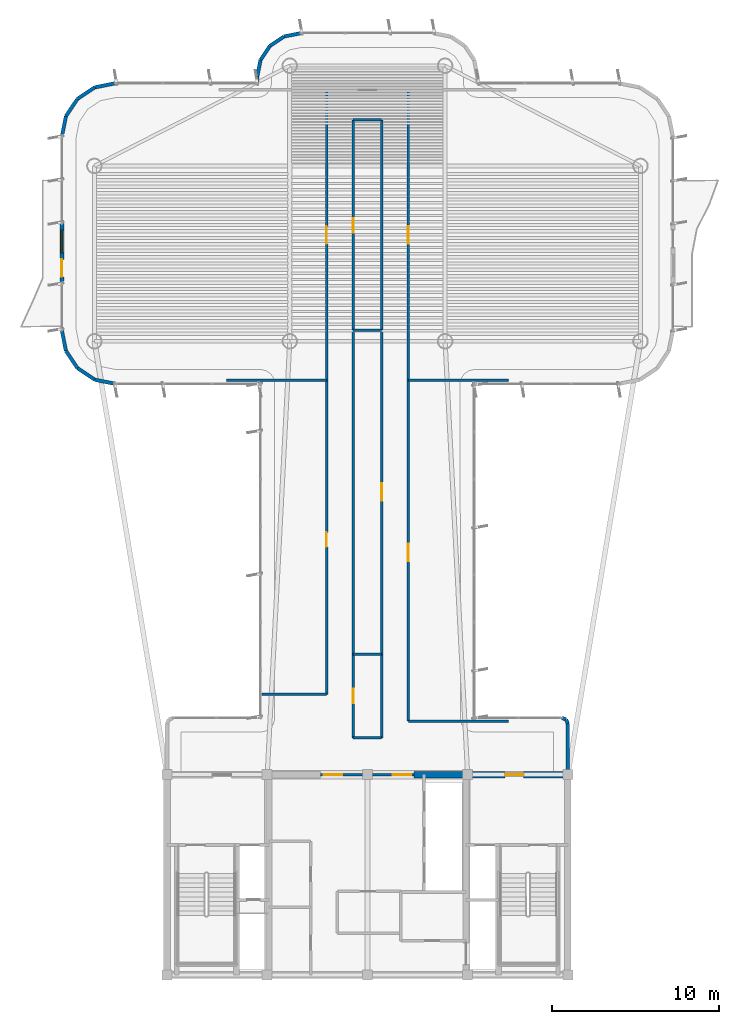
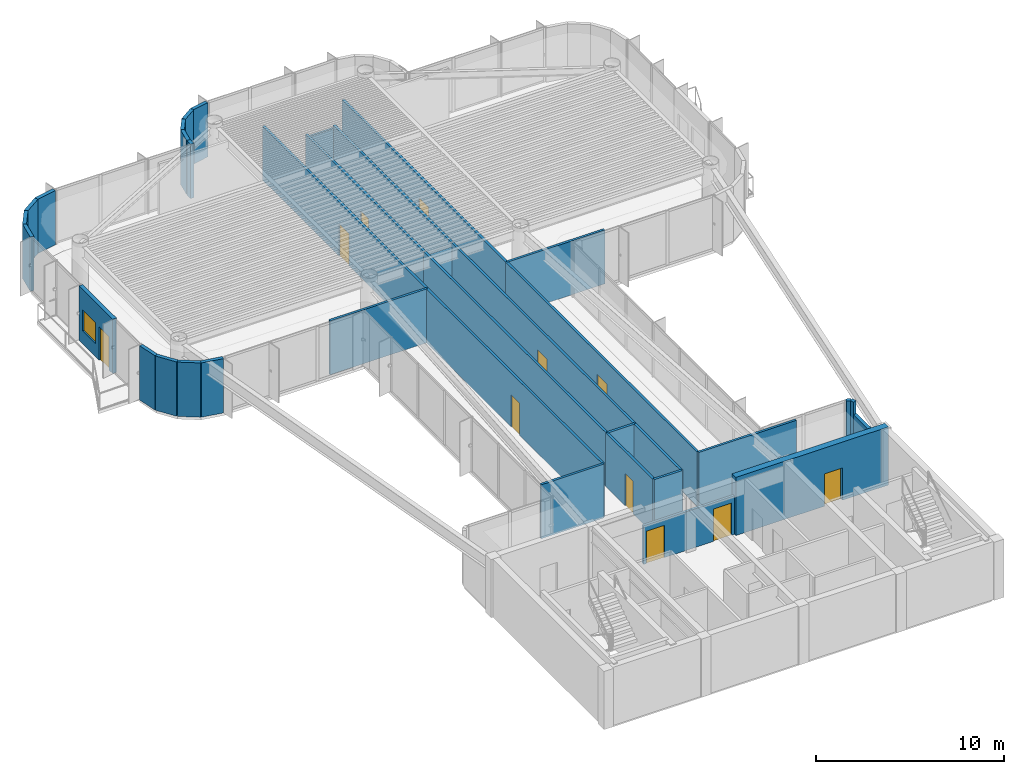
# One storey, part 11 of 14: 37 walls, 11 doors, 1 window, 12 openings.
"""IFC4 building model written with IfcOpenShell, lengths in metres."""

from ifc_helpers import new_model, si_unit, direction, frame, frame_2d, origin, origin_2d, place, context, subcontext, project, spatial, rectangle, extrude, source, transform, mapped, material, layer, layer_set, type_object, element, fill, save


model = new_model("IFC4")

# Units and contexts
model_context = context("Model", 3, precision=1e-05, world=origin(), true_north=direction((0.0, 1.0)))
body_context = subcontext(model_context, "Body", "Model", "MODEL_VIEW")
ifc_project = project(units=[si_unit("LENGTHUNIT", "METRE"), si_unit("AREAUNIT", "SQUARE_METRE"), si_unit("VOLUMEUNIT", "CUBIC_METRE"), si_unit("PLANEANGLEUNIT", "RADIAN"), si_unit("MASSUNIT", "GRAM", prefix="KILO")], contexts=[model_context])

# Site, building, storey
site_placement = place(None, origin())
site = spatial("IfcSite", under=ifc_project, at=site_placement, CompositionType="ELEMENT")
building_placement = place(site_placement, origin())
building = spatial("IfcBuilding", under=site, at=building_placement, Name="Brelvock Crest Care Tower", CompositionType="ELEMENT")
storey_placement = place(building_placement, frame((0.0, 0.0, 257.0400390625)))
storey = spatial("IfcBuildingStorey", under=building, at=storey_placement, Name="L65", CompositionType="ELEMENT", Elevation=257.0400390625)

# Wall, opening, door
ifc_material_1 = material(Name="Concrete S65 (65 MPa)", Category="concrete")
ifc_layer_1 = layer(ifc_material_1, 0.39990234375, Name="WL-CS4")
ifc_layer_set_1 = layer_set([ifc_layer_1], Name="Concrete S65 (65 MPa)")
wall_type_1 = type_object("IfcWallType", Name="WL-CS4", PredefinedType="SHEAR", material=ifc_layer_set_1)
wall_1_placement = place(storey_placement, frame((38.800048828125, 18.0, 0.0), z_axis=(0.0, 0.0, 1.0), x_axis=(1.0, 0.0, 0.0)))
wall_1 = element("IfcWall", 1, at=wall_1_placement, inside=storey, type_object=wall_type_1, Name="L65 Core North-East Shear Wall", PredefinedType="SHEAR", context=body_context, shape_type="SweptSolid", body=[
    extrude(rectangle(XDim=9.39990234375, YDim=0.39990234375, at=frame_2d((4.699951171875, 0.0))), origin(), (0.0, 0.0, 1.0), 3.780029296875),
])
opening_1_placement = place(wall_1_placement, frame((5.449951171875, 0.0, 0.0)))
opening_1 = element("IfcOpeningElement", 2, at=opening_1_placement, cuts=wall_1, Name="Opening FD-1", PredefinedType="OPENING", context=body_context, shape_type="SweptSolid", body=[
    extrude(rectangle(XDim=1.10009765625, YDim=2.10009765625, at=origin_2d()), frame((0.550048828125, 0.2099609375, 1.050048828125), z_axis=(0.0, -1.0, 0.0), x_axis=(1.0, 0.0, 0.0)), (0.0, 0.0, 1.0), 0.419921875),
])
ifc_material_2 = material(Name="Steel Grade 350", Category="steel")
door_type_1 = type_object("IfcDoorType", Name="DR-FFL1", OperationType="NOTDEFINED", PredefinedType="DOOR", material=ifc_material_2)
shared_shape_1 = source(origin(), body_context, "Body", "SweptSolid", [
    extrude(rectangle(XDim=1.10009765625, YDim=2.10009765625, at=origin_2d()), frame((0.550048828125, 0.02490234375, 1.050048828125), z_axis=(0.0, -1.0, 0.0), x_axis=(1.0, 0.0, 0.0)), (0.0, 0.0, 1.0), 0.050048828125),
])
door_1_placement = place(opening_1_placement, origin())
door_1 = element("IfcDoor", 3, at=door_1_placement, inside=storey, type_object=door_type_1, Name="L65 Firefighting Lobby FFL-2 Exit Door", OperationType="SINGLE_SWING_RIGHT", OverallHeight=2.10009765625, OverallWidth=1.10009765625, PredefinedType="DOOR", context=body_context, shape_type="MappedRepresentation", body=[
    mapped(shared_shape_1, transform((0.0, 0.0, 0.0), x_axis=(1.0, 0.0, 0.0), y_axis=(0.0, 1.0, 0.0), z_axis=(0.0, 0.0, 1.0), scale=1.0)),
])
fill(opening_1, door_1)

# Wall, openings, door, window
ifc_material_3 = material(Name="Precast concrete N40 (40 MPa)", Category="concrete")
ifc_layer_2 = layer(ifc_material_3, 0.239990234375, Name="WL-EX1")
ifc_layer_set_2 = layer_set([ifc_layer_2], Name="Precast concrete N40 (40 MPa)")
wall_type_2 = type_object("IfcWallType", Name="WL-EX1", PredefinedType="SOLIDWALL", material=ifc_layer_set_2)
wall_2_placement = place(storey_placement, frame((17.699951171875, 47.39990234375, 0.0), z_axis=(0.0, 0.0, 1.0), x_axis=(0.0, 1.0, 0.0)))
wall_2 = element("IfcWall", 4, at=wall_2_placement, inside=storey, type_object=wall_type_2, Name="L65 Exterior Spandrel Wall WL-BAL-L65-W", PredefinedType="SOLIDWALL", context=body_context, shape_type="SweptSolid", body=[
    extrude(rectangle(XDim=3.60009765625, YDim=0.239990234375, at=frame_2d((1.800048828125, 0.0))), origin(), (0.0, 0.0, 1.0), 3.530029296875),
])
opening_2_placement = place(wall_2_placement, frame((0.39990234375, 0.0, 0.0)))
opening_2 = element("IfcOpeningElement", 5, at=opening_2_placement, cuts=wall_2, Name="Opening BD-1", PredefinedType="OPENING", context=body_context, shape_type="SweptSolid", body=[
    extrude(rectangle(XDim=1.050048828125, YDim=2.14990234375, at=origin_2d()), frame((0.52490234375, 0.1298828125, 1.074951171875), z_axis=(0.0, -1.0, 0.0), x_axis=(1.0, 0.0, 0.0)), (0.0, 0.0, 1.0), 0.260009765625),
])
opening_3_placement = place(wall_2_placement, frame((1.85009765625, 0.0, 0.85009765625)))
opening_3 = element("IfcOpeningElement", 6, at=opening_3_placement, cuts=wall_2, Name="Opening W-01", PredefinedType="OPENING", context=body_context, shape_type="SweptSolid", body=[
    extrude(rectangle(XDim=1.35009765625, YDim=1.35009765625, at=origin_2d()), frame((0.675048828125, 0.1298828125, 0.675048828125), z_axis=(0.0, -1.0, 0.0), x_axis=(1.0, 0.0, 0.0)), (0.0, 0.0, 1.0), 0.260009765625),
])
ifc_material_4 = material(Name="Dark Glass Double Glazed Low-E", Category="glass")
door_type_2 = type_object("IfcDoorType", Name="DR-BAL1", OperationType="NOTDEFINED", PredefinedType="DOOR", material=ifc_material_4)
shared_shape_2 = source(origin(), body_context, "Body", "SweptSolid", [
    extrude(rectangle(XDim=1.050048828125, YDim=2.14990234375, at=origin_2d()), frame((0.52490234375, 0.02490234375, 1.074951171875), z_axis=(0.0, -1.0, 0.0), x_axis=(1.0, 0.0, 0.0)), (0.0, 0.0, 1.0), 0.050048828125),
])
door_2_placement = place(opening_2_placement, origin())
door_2 = element("IfcDoor", 7, at=door_2_placement, inside=storey, type_object=door_type_2, Name="L65 W Wave Balcony Glazed Door", OperationType="SINGLE_SWING_LEFT", OverallHeight=2.14990234375, OverallWidth=1.050048828125, PredefinedType="DOOR", context=body_context, shape_type="MappedRepresentation", body=[
    mapped(shared_shape_2, transform((0.0, 0.0, 0.0), x_axis=(1.0, 0.0, 0.0), y_axis=(0.0, 1.0, 0.0), z_axis=(0.0, 0.0, 1.0), scale=1.0)),
])
fill(opening_2, door_2)
window_type = type_object("IfcWindowType", Name="WN-EX1", PartitioningType="SINGLE_PANEL", PredefinedType="WINDOW", material=ifc_material_4)
shared_shape_3 = source(origin(), body_context, "Body", "SweptSolid", [
    extrude(rectangle(XDim=1.35009765625, YDim=1.35009765625, at=origin_2d()), frame((0.675048828125, 0.030029296875, 0.675048828125), z_axis=(0.0, -1.0, 0.0), x_axis=(1.0, 0.0, 0.0)), (0.0, 0.0, 1.0), 0.06005859375),
])
window_placement = place(opening_3_placement, origin())
window = element("IfcWindow", 8, at=window_placement, inside=storey, type_object=window_type, Name="L65 W Suite Casement Window", OverallHeight=1.35009765625, OverallWidth=1.35009765625, PartitioningType="SINGLE_PANEL", PredefinedType="WINDOW", context=body_context, shape_type="MappedRepresentation", body=[
    mapped(shared_shape_3, transform((0.0, 0.0, 0.0), x_axis=(1.0, 0.0, 0.0), y_axis=(0.0, 1.0, 0.0), z_axis=(0.0, 0.0, 1.0), scale=1.0)),
])
fill(opening_3, window)

# Walls
ifc_layer_3 = layer(ifc_material_3, 0.215087890625, Name="WL-EX2")
ifc_layer_set_3 = layer_set([ifc_layer_3], Name="Precast concrete N40 (40 MPa)")
wall_type_3 = type_object("IfcWallType", Name="WL-EX2", PredefinedType="SOLIDWALL", material=ifc_layer_set_3)
wall_3_placement = place(storey_placement, frame((47.8974609375, 21.297607421875, 0.0), z_axis=(0.0, 0.0, 1.0), x_axis=(0.382673670509, -0.923883575944, 0.0)))
element("IfcWall", 9, at=wall_3_placement, inside=storey, type_object=wall_type_3, Name="L65 Rounded Corner Wall 00", PredefinedType="SOLIDWALL", context=body_context, shape_type="SweptSolid", body=[
    extrude(rectangle(XDim=0.26806640625, YDim=0.215087890625, at=frame_2d((0.134033203125, 0.0))), origin(), (0.0, 0.0, 1.0), 3.530029296875),
])
wall_4_placement = place(storey_placement, frame((48.0, 21.050048828125, 0.0), z_axis=(0.0, 0.0, 1.0), x_axis=(0.0, -1.0, 0.0)))
element("IfcWall", 10, at=wall_4_placement, inside=storey, type_object=wall_type_3, Name="L65 Rounded Corner Wall 01", PredefinedType="SOLIDWALL", context=body_context, shape_type="SweptSolid", body=[
    extrude(rectangle(XDim=2.77001953125, YDim=0.215087890625, at=frame_2d((1.385009765625, 0.0))), origin(), (0.0, 0.0, 1.0), 2.718017578125),
])
for number, where, z_axis, x_axis, name in (
    (11, (20.89990234375, 41.39990234375, 0.0), (0.0, 0.0, 1.0), (-0.980775717779, 0.195138390419, 0.0), "L65 Rounded Corner Wall 13"),
    (12, (19.67529296875, 41.6435546875, 0.0), (0.0, 0.0, 1.0), (-0.831387912822, 0.555692485475, 0.0), "L65 Rounded Corner Wall 14"),
    (13, (18.63720703125, 42.33740234375, 0.0), (0.0, 0.0, 1.0), (-0.555557312883, 0.831478245117, 0.0), "L65 Rounded Corner Wall 15"),
    (14, (17.943603515625, 43.37548828125, 0.0), (0.0, 0.0, 1.0), (-0.195138390419, 0.980775717779, 0.0), "L65 Rounded Corner Wall 16"),
    (15, (17.699951171875, 56.199951171875, 0.0), (0.0, 0.0, 1.0), (0.195138390419, 0.980775717779, 0.0), "L65 Rounded Corner Wall 18"),
    (16, (17.943603515625, 57.424560546875, 0.0), (0.0, 0.0, 1.0), (0.555557312883, 0.831478245117, 0.0), "L65 Rounded Corner Wall 19"),
    (17, (18.63720703125, 58.462646484375, 0.0), (0.0, 0.0, 1.0), (0.831387912822, 0.555692485475, 0.0), "L65 Rounded Corner Wall 20"),
    (18, (19.67529296875, 59.156494140625, 0.0), (0.0, 0.0, 1.0), (0.980813122964, 0.194950295773, 0.0), "L65 Rounded Corner Wall 21"),
):
    element("IfcWall", number, at=place(storey_placement, frame(where, z_axis=z_axis, x_axis=x_axis)), inside=storey, type_object=wall_type_3, Name=name, PredefinedType="SOLIDWALL", context=body_context, shape_type="SweptSolid", body=[
        extrude(rectangle(XDim=1.24853515625, YDim=0.215087890625, at=frame_2d((0.624267578125, 0.0))), origin(), (0.0, 0.0, 1.0), 3.530029296875),
    ])
wall_5_placement = place(storey_placement, frame((29.39990234375, 59.39990234375, 0.0), z_axis=(0.0, 0.0, 1.0), x_axis=(0.0, 1.0, 0.0)))
element("IfcWall", 19, at=wall_5_placement, inside=storey, type_object=wall_type_3, Name="L65 Rounded Corner Wall 23", PredefinedType="SOLIDWALL", context=body_context, shape_type="SweptSolid", body=[
    extrude(rectangle(XDim=0.400146484375, YDim=0.215087890625, at=frame_2d((0.2001953125, 0.0))), origin(), (0.0, 0.0, 1.0), 3.530029296875),
])
wall_6_placement = place(storey_placement, frame((29.39990234375, 59.800048828125, 0.0), z_axis=(0.0, 0.0, 1.0), x_axis=(0.195190360752, 0.980765376158, 0.0)))
element("IfcWall", 20, at=wall_6_placement, inside=storey, type_object=wall_type_3, Name="L65 Rounded Corner Wall 24", PredefinedType="SOLIDWALL", context=body_context, shape_type="SweptSolid", body=[
    extrude(rectangle(XDim=1.014404296875, YDim=0.215087890625, at=frame_2d((0.50732421875, 0.0))), origin(), (0.0, 0.0, 1.0), 3.530029296875),
])
wall_7_placement = place(storey_placement, frame((29.597900390625, 60.794921875, 0.0), z_axis=(0.0, 0.0, 1.0), x_axis=(0.555643898837, 0.831420385657, 0.0)))
element("IfcWall", 21, at=wall_7_placement, inside=storey, type_object=wall_type_3, Name="L65 Rounded Corner Wall 25", PredefinedType="SOLIDWALL", context=body_context, shape_type="SweptSolid", body=[
    extrude(rectangle(XDim=1.0146484375, YDim=0.215087890625, at=frame_2d((0.50732421875, 0.0))), origin(), (0.0, 0.0, 1.0), 3.530029296875),
])
wall_8_placement = place(storey_placement, frame((30.16162109375, 61.638427734375, 0.0), z_axis=(0.0, 0.0, 1.0), x_axis=(0.831346067305, 0.555755086685, 0.0)))
element("IfcWall", 22, at=wall_8_placement, inside=storey, type_object=wall_type_3, Name="L65 Rounded Corner Wall 26", PredefinedType="SOLIDWALL", context=body_context, shape_type="SweptSolid", body=[
    extrude(rectangle(XDim=1.014404296875, YDim=0.215087890625, at=frame_2d((0.50732421875, 0.0))), origin(), (0.0, 0.0, 1.0), 3.530029296875),
])
wall_9_placement = place(storey_placement, frame((31.0048828125, 62.2021484375, 0.0), z_axis=(0.0, 0.0, 1.0), x_axis=(0.980820570666, 0.194912821943, 0.0)))
element("IfcWall", 23, at=wall_9_placement, inside=storey, type_object=wall_type_3, Name="L65 Rounded Corner Wall 27", PredefinedType="SOLIDWALL", context=body_context, shape_type="SweptSolid", body=[
    extrude(rectangle(XDim=1.0146484375, YDim=0.215087890625, at=frame_2d((0.50732421875, 0.0))), origin(), (0.0, 0.0, 1.0), 3.530029296875),
])
wall_10_placement = place(storey_placement, frame((47.64990234375, 21.39990234375, 0.0), z_axis=(0.0, 0.0, 1.0), x_axis=(0.924205486139, -0.381895560841, 0.0)))
element("IfcWall", 24, at=wall_10_placement, inside=storey, type_object=wall_type_3, Name="L65 Rounded Corner Wall 47", PredefinedType="SOLIDWALL", context=body_context, shape_type="SweptSolid", body=[
    extrude(rectangle(XDim=0.267822265625, YDim=0.215087890625, at=frame_2d((0.1337890625, 0.0))), origin(), (0.0, 0.0, 1.0), 3.530029296875),
])

# Wall, openings, doors
ifc_material_5 = material(Name="Masonry Blockwork Acoustic Partition", Category="masonry")
ifc_layer_4 = layer(ifc_material_5, 0.14990234375, Name="WL-INT1")
ifc_layer_set_4 = layer_set([ifc_layer_4], Name="Masonry Blockwork Acoustic Partition")
wall_type_4 = type_object("IfcWallType", Name="WL-INT1", PredefinedType="PARTITIONING", material=ifc_layer_set_4)
wall_11_placement = place(storey_placement, frame((33.199951171875, 18.0, 0.0), z_axis=(0.0, 0.0, 1.0), x_axis=(1.0, 0.0, 0.0)))
wall_11 = element("IfcWall", 25, at=wall_11_placement, inside=storey, type_object=wall_type_4, Name="L65 Interior Wall WL-CORE-NPORT-L65", PredefinedType="PARTITIONING", context=body_context, shape_type="SweptSolid", body=[
    extrude(rectangle(XDim=5.60009765625, YDim=0.14990234375, at=frame_2d((2.800048828125, 0.0))), origin(), (0.0, 0.0, 1.0), 2.514892578125),
])
opening_4_placement = place(wall_11_placement, frame((0.18994140625, 0.0, 0.0)))
opening_4 = element("IfcOpeningElement", 26, at=opening_4_placement, cuts=wall_11, Name="Opening FD-1", PredefinedType="OPENING", context=body_context, shape_type="SweptSolid", body=[
    extrude(rectangle(XDim=1.10009765625, YDim=2.10009765625, at=origin_2d()), frame((0.550048828125, 0.0849609375, 1.050048828125), z_axis=(0.0, -1.0, 0.0), x_axis=(1.0, 0.0, 0.0)), (0.0, 0.0, 1.0), 0.169921875),
])
opening_5_placement = place(wall_11_placement, frame((4.31005859375, 0.0, 0.0)))
opening_5 = element("IfcOpeningElement", 27, at=opening_5_placement, cuts=wall_11, Name="Opening FD-1", PredefinedType="OPENING", context=body_context, shape_type="SweptSolid", body=[
    extrude(rectangle(XDim=1.10009765625, YDim=2.10009765625, at=origin_2d()), frame((0.550048828125, 0.0849609375, 1.050048828125), z_axis=(0.0, -1.0, 0.0), x_axis=(1.0, 0.0, 0.0)), (0.0, 0.0, 1.0), 0.169921875),
])
door_3_placement = place(opening_4_placement, origin())
door_3 = element("IfcDoor", 28, at=door_3_placement, inside=storey, type_object=door_type_1, Name="L65 Lift Lobby North Smoke Door West", OperationType="SINGLE_SWING_LEFT", OverallHeight=2.10009765625, OverallWidth=1.10009765625, PredefinedType="DOOR", context=body_context, shape_type="MappedRepresentation", body=[
    mapped(shared_shape_1, transform((0.0, 0.0, 0.0), x_axis=(1.0, 0.0, 0.0), y_axis=(0.0, 1.0, 0.0), z_axis=(0.0, 0.0, 1.0), scale=1.0)),
])
fill(opening_4, door_3)
door_4_placement = place(opening_5_placement, origin())
door_4 = element("IfcDoor", 29, at=door_4_placement, inside=storey, type_object=door_type_1, Name="L65 Lift Lobby North Smoke Door East", OperationType="SINGLE_SWING_RIGHT", OverallHeight=2.10009765625, OverallWidth=1.10009765625, PredefinedType="DOOR", context=body_context, shape_type="MappedRepresentation", body=[
    mapped(shared_shape_1, transform((0.0, 0.0, 0.0), x_axis=(1.0, 0.0, 0.0), y_axis=(0.0, 1.0, 0.0), z_axis=(0.0, 0.0, 1.0), scale=1.0)),
])
fill(opening_5, door_4)

# Walls
wall_12_placement = place(storey_placement, frame((38.449951171875, 21.199951171875, 0.0), z_axis=(0.0, 0.0, 1.0), x_axis=(1.0, 0.0, 0.0)))
element("IfcWall", 30, at=wall_12_placement, inside=storey, type_object=wall_type_4, Name="L65 Interior Wall WL-BX-L65-THRE-S", PredefinedType="PARTITIONING", context=body_context, shape_type="SweptSolid", body=[
    extrude(rectangle(XDim=5.9931640625, YDim=0.14990234375, at=frame_2d((2.99658203125, 0.0))), origin(), (0.0, 0.0, 1.0), 3.5),
])
wall_13_placement = place(storey_placement, frame((29.678466796875, 22.800048828125, 0.0), z_axis=(0.0, 0.0, 1.0), x_axis=(1.0, 0.0, 0.0)))
element("IfcWall", 31, at=wall_13_placement, inside=storey, type_object=wall_type_4, Name="L65 Interior Wall WL-BX-L65-THRW-S", PredefinedType="PARTITIONING", context=body_context, shape_type="SweptSolid", body=[
    extrude(rectangle(XDim=3.87158203125, YDim=0.14990234375, at=frame_2d((1.935791015625, 0.0))), origin(), (0.0, 0.0, 1.0), 3.5),
])
wall_14_placement = place(storey_placement, frame((27.557861328125, 41.60009765625, 0.0), z_axis=(0.0, 0.0, 1.0), x_axis=(1.0, 0.0, 0.0)))
element("IfcWall", 32, at=wall_14_placement, inside=storey, type_object=wall_type_4, Name="L65 Interior Wall WL-BX-L65-THRW-N", PredefinedType="PARTITIONING", context=body_context, shape_type="SweptSolid", body=[
    extrude(rectangle(XDim=5.9921875, YDim=0.14990234375, at=frame_2d((2.99609375, 0.0))), origin(), (0.0, 0.0, 1.0), 3.5),
])
wall_15_placement = place(storey_placement, frame((38.449951171875, 41.60009765625, 0.0), z_axis=(0.0, 0.0, 1.0), x_axis=(1.0, 0.0, 0.0)))
element("IfcWall", 33, at=wall_15_placement, inside=storey, type_object=wall_type_4, Name="L65 Interior Wall WL-BX-L65-ECLB-S", PredefinedType="PARTITIONING", context=body_context, shape_type="SweptSolid", body=[
    extrude(rectangle(XDim=5.993408203125, YDim=0.14990234375, at=frame_2d((2.99658203125, 0.0))), origin(), (0.0, 0.0, 1.0), 3.5),
])
wall_16_placement = place(storey_placement, frame((35.14990234375, 44.6201171875, 0.0), z_axis=(0.0, 0.0, 1.0), x_axis=(1.0, 0.0, 0.0)))
element("IfcWall", 34, at=wall_16_placement, inside=storey, type_object=wall_type_4, Name="L65 Interior Wall WL-BX-L65-ISKT-S", PredefinedType="PARTITIONING", context=body_context, shape_type="SweptSolid", body=[
    extrude(rectangle(XDim=1.7001953125, YDim=0.14990234375, at=frame_2d((0.85009765625, 0.0))), origin(), (0.0, 0.0, 1.0), 3.259033203125),
])
wall_17_placement = place(storey_placement, frame((35.14990234375, 57.199951171875, 0.0), z_axis=(0.0, 0.0, 1.0), x_axis=(1.0, 0.0, 0.0)))
element("IfcWall", 35, at=wall_17_placement, inside=storey, type_object=wall_type_4, Name="L65 Interior Wall WL-BX-L65-ISKT-N", PredefinedType="PARTITIONING", context=body_context, shape_type="SweptSolid", body=[
    extrude(rectangle(XDim=1.7001953125, YDim=0.14990234375, at=frame_2d((0.85009765625, 0.0))), origin(), (0.0, 0.0, 1.0), 3.307861328125),
])

# Wall, opening, door
wall_18_placement = place(storey_placement, frame((33.550048828125, 22.800048828125, 0.0), z_axis=(0.0, 0.0, 1.0), x_axis=(0.0, 1.0, 0.0)))
wall_18 = element("IfcWall", 36, at=wall_18_placement, inside=storey, type_object=wall_type_4, Name="L65 Interior Wall WL-RM-L65-THRW", PredefinedType="PARTITIONING", context=body_context, shape_type="SweptSolid", body=[
    extrude(rectangle(XDim=18.800048828125, YDim=0.14990234375, at=frame_2d((9.39990234375, 0.0))), origin(), (0.0, 0.0, 1.0), 3.5),
])
opening_6_placement = place(wall_18_placement, frame((8.840087890625, 0.0, 0.0)))
opening_6 = element("IfcOpeningElement", 37, at=opening_6_placement, cuts=wall_18, Name="Opening ID-1", PredefinedType="OPENING", context=body_context, shape_type="SweptSolid", body=[
    extrude(rectangle(XDim=0.860107421875, YDim=2.10009765625, at=origin_2d()), frame((0.43017578125, 0.0849609375, 1.050048828125), z_axis=(0.0, -1.0, 0.0), x_axis=(1.0, 0.0, 0.0)), (0.0, 0.0, 1.0), 0.169921875),
])
ifc_material_6 = material(Name="Engineered Hardwood Timber", Category="wood")
door_type_3 = type_object("IfcDoorType", Name="DR-INT1", OperationType="NOTDEFINED", PredefinedType="DOOR", material=ifc_material_6)
shared_shape_4 = source(origin(), body_context, "Body", "SweptSolid", [
    extrude(rectangle(XDim=0.860107421875, YDim=2.10009765625, at=origin_2d()), frame((0.43017578125, 0.02490234375, 1.050048828125), z_axis=(0.0, -1.0, 0.0), x_axis=(1.0, 0.0, 0.0)), (0.0, 0.0, 1.0), 0.050048828125),
])
door_5_placement = place(opening_6_placement, origin())
door_5 = element("IfcDoor", 38, at=door_5_placement, inside=storey, type_object=door_type_3, Name="L65 Quiet Family Consultation Room Door THRW", OperationType="SINGLE_SWING_LEFT", OverallHeight=2.10009765625, OverallWidth=0.860107421875, PredefinedType="DOOR", context=body_context, shape_type="MappedRepresentation", body=[
    mapped(shared_shape_4, transform((0.0, 0.0, 0.0), x_axis=(1.0, 0.0, 0.0), y_axis=(0.0, 1.0, 0.0), z_axis=(0.0, 0.0, 1.0), scale=1.0)),
])
fill(opening_6, door_5)

wall_19_placement = place(storey_placement, frame((33.550048828125, 41.60009765625, 0.0), z_axis=(0.0, 0.0, 1.0), x_axis=(0.0, 1.0, 0.0)))
wall_19 = element("IfcWall", 39, at=wall_19_placement, inside=storey, type_object=wall_type_4, Name="L65 Interior Wall WL-RM-L65-WCLB", PredefinedType="PARTITIONING", context=body_context, shape_type="SweptSolid", body=[
    extrude(rectangle(XDim=17.39990234375, YDim=0.14990234375, at=frame_2d((8.699951171875, 0.0))), origin(), (0.0, 0.0, 1.0), 3.5),
])
opening_7_placement = place(wall_19_placement, frame((8.175048828125, 0.0, 0.0)))
opening_7 = element("IfcOpeningElement", 40, at=opening_7_placement, cuts=wall_19, Name="Opening CLD-1", PredefinedType="OPENING", context=body_context, shape_type="SweptSolid", body=[
    extrude(rectangle(XDim=1.050048828125, YDim=2.10009765625, at=origin_2d()), frame((0.52490234375, 0.0849609375, 1.050048828125), z_axis=(0.0, -1.0, 0.0), x_axis=(1.0, 0.0, 0.0)), (0.0, 0.0, 1.0), 0.169921875),
])
door_type_4 = type_object("IfcDoorType", Name="DR-CLN1", OperationType="NOTDEFINED", PredefinedType="DOOR", material=ifc_material_6)
shared_shape_5 = source(origin(), body_context, "Body", "SweptSolid", [
    extrude(rectangle(XDim=1.050048828125, YDim=2.10009765625, at=origin_2d()), frame((0.52490234375, 0.02490234375, 1.050048828125), z_axis=(0.0, -1.0, 0.0), x_axis=(1.0, 0.0, 0.0)), (0.0, 0.0, 1.0), 0.050048828125),
])
door_6_placement = place(opening_7_placement, origin())
door_6 = element("IfcDoor", 41, at=door_6_placement, inside=storey, type_object=door_type_4, Name="L65 Sky Harbour Club Lounge Door WCLB", OperationType="SINGLE_SWING_LEFT", OverallHeight=2.10009765625, OverallWidth=1.050048828125, PredefinedType="DOOR", context=body_context, shape_type="MappedRepresentation", body=[
    mapped(shared_shape_5, transform((0.0, 0.0, 0.0), x_axis=(1.0, 0.0, 0.0), y_axis=(0.0, 1.0, 0.0), z_axis=(0.0, 0.0, 1.0), scale=1.0)),
])
fill(opening_7, door_6)

# Wall
wall_20_placement = place(storey_placement, frame((35.14990234375, 25.199951171875, 0.0), z_axis=(0.0, 0.0, 1.0), x_axis=(0.0, 1.0, 0.0)))
element("IfcWall", 42, at=wall_20_placement, inside=storey, type_object=wall_type_4, Name="L65 Interior Wall WL-BX-L65-ISNS-W", PredefinedType="PARTITIONING", context=body_context, shape_type="SweptSolid", body=[
    extrude(rectangle(XDim=19.420166015625, YDim=0.14990234375, at=frame_2d((9.7099609375, 0.0))), origin(), (0.0, 0.0, 1.0), 3.5),
])

# Wall, opening, door
wall_21_placement = place(storey_placement, frame((35.14990234375, 44.6201171875, 0.0), z_axis=(0.0, 0.0, 1.0), x_axis=(0.0, 1.0, 0.0)))
wall_21 = element("IfcWall", 43, at=wall_21_placement, inside=storey, type_object=wall_type_4, Name="L65 Interior Wall WL-RM-L65-ISKT", PredefinedType="PARTITIONING", context=body_context, shape_type="SweptSolid", body=[
    extrude(rectangle(XDim=12.579833984375, YDim=0.14990234375, at=frame_2d((6.2900390625, 0.0))), origin(), (0.0, 0.0, 1.0), 3.5),
])
opening_8_placement = place(wall_21_placement, frame((5.830078125, 0.0, 0.0)))
opening_8 = element("IfcOpeningElement", 44, at=opening_8_placement, cuts=wall_21, Name="Opening ID-1", PredefinedType="OPENING", context=body_context, shape_type="SweptSolid", body=[
    extrude(rectangle(XDim=0.860107421875, YDim=2.10009765625, at=origin_2d()), frame((0.43017578125, 0.0849609375, 1.050048828125), z_axis=(0.0, -1.0, 0.0), x_axis=(1.0, 0.0, 0.0)), (0.0, 0.0, 1.0), 0.169921875),
])
door_7_placement = place(opening_8_placement, origin())
door_7 = element("IfcDoor", 45, at=door_7_placement, inside=storey, type_object=door_type_3, Name="L65 Communal Tea and Nutrition Pantry Door ISKT", OperationType="SINGLE_SWING_LEFT", OverallHeight=2.10009765625, OverallWidth=0.860107421875, PredefinedType="DOOR", context=body_context, shape_type="MappedRepresentation", body=[
    mapped(shared_shape_4, transform((0.0, 0.0, 0.0), x_axis=(1.0, 0.0, 0.0), y_axis=(0.0, 1.0, 0.0), z_axis=(0.0, 0.0, 1.0), scale=1.0)),
])
fill(opening_8, door_7)

wall_22_placement = place(storey_placement, frame((36.85009765625, 25.199951171875, 0.0), z_axis=(0.0, 0.0, 1.0), x_axis=(0.0, 1.0, 0.0)))
wall_22 = element("IfcWall", 46, at=wall_22_placement, inside=storey, type_object=wall_type_4, Name="L65 Interior Wall WL-RM-L65-ISNS", PredefinedType="PARTITIONING", context=body_context, shape_type="SweptSolid", body=[
    extrude(rectangle(XDim=19.420166015625, YDim=0.14990234375, at=frame_2d((9.7099609375, 0.0))), origin(), (0.0, 0.0, 1.0), 3.5),
])
opening_9_placement = place(wall_22_placement, frame((9.18505859375, 0.0, 0.0)))
opening_9 = element("IfcOpeningElement", 47, at=opening_9_placement, cuts=wall_22, Name="Opening CLD-1", PredefinedType="OPENING", context=body_context, shape_type="SweptSolid", body=[
    extrude(rectangle(XDim=1.050048828125, YDim=2.10009765625, at=origin_2d()), frame((0.52490234375, 0.0849609375, 1.050048828125), z_axis=(0.0, -1.0, 0.0), x_axis=(1.0, 0.0, 0.0)), (0.0, 0.0, 1.0), 0.169921875),
])
door_8_placement = place(opening_9_placement, origin())
door_8 = element("IfcDoor", 48, at=door_8_placement, inside=storey, type_object=door_type_4, Name="L65 Care Concierge and Triage Station Door ISNS", OperationType="SINGLE_SWING_LEFT", OverallHeight=2.10009765625, OverallWidth=1.050048828125, PredefinedType="DOOR", context=body_context, shape_type="MappedRepresentation", body=[
    mapped(shared_shape_5, transform((0.0, 0.0, 0.0), x_axis=(1.0, 0.0, 0.0), y_axis=(0.0, 1.0, 0.0), z_axis=(0.0, 0.0, 1.0), scale=1.0)),
])
fill(opening_9, door_8)

# Wall
wall_23_placement = place(storey_placement, frame((36.85009765625, 44.6201171875, 0.0), z_axis=(0.0, 0.0, 1.0), x_axis=(0.0, 1.0, 0.0)))
element("IfcWall", 49, at=wall_23_placement, inside=storey, type_object=wall_type_4, Name="L65 Interior Wall WL-BX-L65-ISKT-E", PredefinedType="PARTITIONING", context=body_context, shape_type="SweptSolid", body=[
    extrude(rectangle(XDim=12.579833984375, YDim=0.14990234375, at=frame_2d((6.2900390625, 0.0))), origin(), (0.0, 0.0, 1.0), 3.5),
])

# Wall, opening, door
wall_24_placement = place(storey_placement, frame((38.449951171875, 21.199951171875, 0.0), z_axis=(0.0, 0.0, 1.0), x_axis=(0.0, 1.0, 0.0)))
wall_24 = element("IfcWall", 50, at=wall_24_placement, inside=storey, type_object=wall_type_4, Name="L65 Interior Wall WL-RM-L65-THRE", PredefinedType="PARTITIONING", context=body_context, shape_type="SweptSolid", body=[
    extrude(rectangle(XDim=20.400146484375, YDim=0.14990234375, at=frame_2d((10.2001953125, 0.0))), origin(), (0.0, 0.0, 1.0), 3.5),
])
opening_10_placement = place(wall_24_placement, frame((9.574951171875, 0.0, 0.0)))
opening_10 = element("IfcOpeningElement", 51, at=opening_10_placement, cuts=wall_24, Name="Opening CLD-1", PredefinedType="OPENING", context=body_context, shape_type="SweptSolid", body=[
    extrude(rectangle(XDim=1.050048828125, YDim=2.10009765625, at=origin_2d()), frame((0.52490234375, 0.0849609375, 1.050048828125), z_axis=(0.0, -1.0, 0.0), x_axis=(1.0, 0.0, 0.0)), (0.0, 0.0, 1.0), 0.169921875),
])
door_9_placement = place(opening_10_placement, origin())
door_9 = element("IfcDoor", 52, at=door_9_placement, inside=storey, type_object=door_type_4, Name="L65 Allied Health Therapy Room Door THRE", OperationType="SINGLE_SWING_LEFT", OverallHeight=2.10009765625, OverallWidth=1.050048828125, PredefinedType="DOOR", context=body_context, shape_type="MappedRepresentation", body=[
    mapped(shared_shape_5, transform((0.0, 0.0, 0.0), x_axis=(1.0, 0.0, 0.0), y_axis=(0.0, 1.0, 0.0), z_axis=(0.0, 0.0, 1.0), scale=1.0)),
])
fill(opening_10, door_9)

wall_25_placement = place(storey_placement, frame((38.449951171875, 41.60009765625, 0.0), z_axis=(0.0, 0.0, 1.0), x_axis=(0.0, 1.0, 0.0)))
wall_25 = element("IfcWall", 53, at=wall_25_placement, inside=storey, type_object=wall_type_4, Name="L65 Interior Wall WL-RM-L65-ECLB", PredefinedType="PARTITIONING", context=body_context, shape_type="SweptSolid", body=[
    extrude(rectangle(XDim=17.39990234375, YDim=0.14990234375, at=frame_2d((8.699951171875, 0.0))), origin(), (0.0, 0.0, 1.0), 3.5),
])
opening_11_placement = place(wall_25_placement, frame((8.175048828125, 0.0, 0.0)))
opening_11 = element("IfcOpeningElement", 54, at=opening_11_placement, cuts=wall_25, Name="Opening CLD-1", PredefinedType="OPENING", context=body_context, shape_type="SweptSolid", body=[
    extrude(rectangle(XDim=1.050048828125, YDim=2.10009765625, at=origin_2d()), frame((0.52490234375, 0.0849609375, 1.050048828125), z_axis=(0.0, -1.0, 0.0), x_axis=(1.0, 0.0, 0.0)), (0.0, 0.0, 1.0), 0.169921875),
])
door_10_placement = place(opening_11_placement, origin())
door_10 = element("IfcDoor", 55, at=door_10_placement, inside=storey, type_object=door_type_4, Name="L65 Senior Botanical Reading Salon Door ECLB", OperationType="SINGLE_SWING_LEFT", OverallHeight=2.10009765625, OverallWidth=1.050048828125, PredefinedType="DOOR", context=body_context, shape_type="MappedRepresentation", body=[
    mapped(shared_shape_5, transform((0.0, 0.0, 0.0), x_axis=(1.0, 0.0, 0.0), y_axis=(0.0, 1.0, 0.0), z_axis=(0.0, 0.0, 1.0), scale=1.0)),
])
fill(opening_11, door_10)

# Walls
ifc_material_7 = material(Name="Gypsum Plasterboard Partition", Category="gypsum")
ifc_layer_5 = layer(ifc_material_7, 0.159912109375, Name="WL-PLM1")
ifc_layer_set_5 = layer_set([ifc_layer_5], Name="Gypsum Plasterboard Partition")
wall_type_5 = type_object("IfcWallType", Name="WL-PLM1", PredefinedType="PLUMBINGWALL", material=ifc_layer_set_5)
for number, where, z_axis, x_axis, name in (
    (56, (35.14990234375, 20.199951171875, 0.0), (0.0, 0.0, 1.0), (1.0, 0.0, 0.0), "L65 Interior Wall WL-BX-L65-ISWC-S"),
    (57, (35.14990234375, 25.199951171875, 0.0), (0.0, 0.0, 1.0), (1.0, 0.0, 0.0), "L65 Interior Wall WL-BX-L65-ISNS-S"),
):
    element("IfcWall", number, at=place(storey_placement, frame(where, z_axis=z_axis, x_axis=x_axis)), inside=storey, type_object=wall_type_5, Name=name, PredefinedType="PLUMBINGWALL", context=body_context, shape_type="SweptSolid", body=[
        extrude(rectangle(XDim=1.7001953125, YDim=0.159912109375, at=frame_2d((0.85009765625, 0.0))), origin(), (0.0, 0.0, 1.0), 3.5),
    ])

# Wall, opening, door
wall_26_placement = place(storey_placement, frame((35.14990234375, 20.199951171875, 0.0), z_axis=(0.0, 0.0, 1.0), x_axis=(0.0, 1.0, 0.0)))
wall_26 = element("IfcWall", 58, at=wall_26_placement, inside=storey, type_object=wall_type_5, Name="L65 Interior Wall WL-RM-L65-ISWC", PredefinedType="PLUMBINGWALL", context=body_context, shape_type="SweptSolid", body=[
    extrude(rectangle(XDim=5.0, YDim=0.159912109375, at=frame_2d((2.5, 0.0))), origin(), (0.0, 0.0, 1.0), 3.5),
])
opening_12_placement = place(wall_26_placement, frame((2.070068359375, 0.0, 0.0)))
opening_12 = element("IfcOpeningElement", 59, at=opening_12_placement, cuts=wall_26, Name="Opening WD-1", PredefinedType="OPENING", context=body_context, shape_type="SweptSolid", body=[
    extrude(rectangle(XDim=0.860107421875, YDim=2.10009765625, at=origin_2d()), frame((0.43017578125, 0.08984375, 1.050048828125), z_axis=(0.0, -1.0, 0.0), x_axis=(1.0, 0.0, 0.0)), (0.0, 0.0, 1.0), 0.179931640625),
])
door_type_5 = type_object("IfcDoorType", Name="DR-WC1", OperationType="NOTDEFINED", PredefinedType="DOOR", material=ifc_material_6)
shared_shape_6 = source(origin(), body_context, "Body", "SweptSolid", [
    extrude(rectangle(XDim=0.860107421875, YDim=2.10009765625, at=origin_2d()), frame((0.43017578125, 0.02490234375, 1.050048828125), z_axis=(0.0, -1.0, 0.0), x_axis=(1.0, 0.0, 0.0)), (0.0, 0.0, 1.0), 0.050048828125),
])
door_11_placement = place(opening_12_placement, origin())
door_11 = element("IfcDoor", 60, at=door_11_placement, inside=storey, type_object=door_type_5, Name="L65 High-Zone Accessible WC Door ISWC", OperationType="SINGLE_SWING_LEFT", OverallHeight=2.10009765625, OverallWidth=0.860107421875, PredefinedType="DOOR", context=body_context, shape_type="MappedRepresentation", body=[
    mapped(shared_shape_6, transform((0.0, 0.0, 0.0), x_axis=(1.0, 0.0, 0.0), y_axis=(0.0, 1.0, 0.0), z_axis=(0.0, 0.0, 1.0), scale=1.0)),
])
fill(opening_12, door_11)

# Wall
wall_27_placement = place(storey_placement, frame((36.85009765625, 20.199951171875, 0.0), z_axis=(0.0, 0.0, 1.0), x_axis=(0.0, 1.0, 0.0)))
element("IfcWall", 61, at=wall_27_placement, inside=storey, type_object=wall_type_5, Name="L65 Interior Wall WL-BX-L65-ISWC-E", PredefinedType="PLUMBINGWALL", context=body_context, shape_type="SweptSolid", body=[
    extrude(rectangle(XDim=5.0, YDim=0.159912109375, at=frame_2d((2.5, 0.0))), origin(), (0.0, 0.0, 1.0), 3.5),
])

save(model, "model.ifc")
